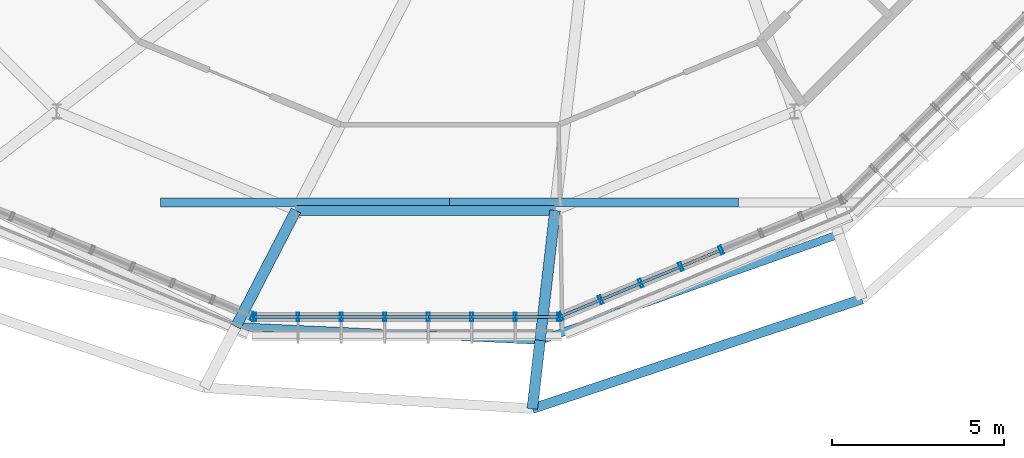
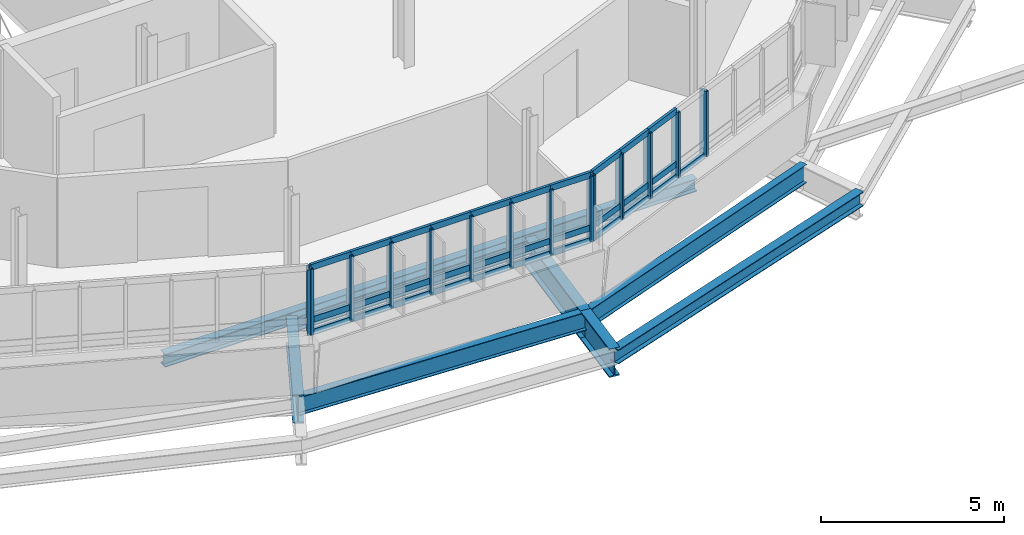
# One storey, part 16 of 61: 45 members, 9 beams, 3 elements without a shape of their own.
"""IFC4 building model written with IfcOpenShell, lengths in metres."""

from ifc_helpers import new_model, si_unit, derived_unit, direction, frame, origin, origin_2d, place, context, subcontext, project, spatial, hollow_rectangle, i_section, extrude, material, layer, layer_set, material_profile, profile_set, type_object, element, aggregate, save


model = new_model("IFC4")

# Units and contexts
model_context = context("Model", 3, precision=1e-05, world=origin(), true_north=direction((0.0, 1.0)))
body_context = subcontext(model_context, "Body", "Model", "MODEL_VIEW")
ifc_project = project(units=[si_unit("LENGTHUNIT", "METRE"), si_unit("AREAUNIT", "SQUARE_METRE"), si_unit("VOLUMEUNIT", "CUBIC_METRE"), si_unit("PLANEANGLEUNIT", "RADIAN"), si_unit("MASSUNIT", "GRAM", prefix="KILO"), derived_unit("THERMALTRANSMITTANCEUNIT", [(si_unit("MASSUNIT", "GRAM", prefix="KILO"), 1), (si_unit("TIMEUNIT", "SECOND"), -3), (si_unit("THERMODYNAMICTEMPERATUREUNIT", "KELVIN"), -1)])], contexts=[model_context])

# Site, building, storey
site_placement = place(None, origin())
site = spatial("IfcSite", under=ifc_project, at=site_placement, CompositionType="ELEMENT")
building_placement = place(site_placement, origin())
building = spatial("IfcBuilding", under=site, at=building_placement, Name="Makaiwela Harbour Ferry Terminal", CompositionType="ELEMENT")
storey_placement = place(building_placement, frame((0.0, 0.0, 13.800048828125)))
storey = spatial("IfcBuildingStorey", under=building, at=storey_placement, Name="L03", CompositionType="ELEMENT", Elevation=13.800048828125)

# Curtain wall, member
ifc_material_1 = material(Name="Marine anodised aluminium 6063-T6", Category="aluminium")
ifc_layer = layer(ifc_material_1, 0.199951171875)
ifc_layer_set = layer_set([ifc_layer], Name="Marine anodised aluminium 6063-T6")
curtain_wall_type = type_object("IfcCurtainWallType", Name="ENV-CW-05", PredefinedType="USERDEFINED", material=ifc_layer_set)
curtain_wall_1_placement = place(storey_placement, origin())
curtain_wall_1 = element("IfcCurtainWall", 1, at=curtain_wall_1_placement, inside=storey, type_object=curtain_wall_type, Name="Unitised Curtain Wall CWA-038", ObjectType="UNITIZED CURTAIN WALL", PredefinedType="USERDEFINED")
ifc_material_profile_1 = material_profile(ifc_material_1, hollow_rectangle(XDim=0.0849609375, YDim=0.25, WallThickness=0.0048828125, at=origin_2d()), Name="CWM-250X85")
ifc_profile_set_1 = profile_set([ifc_material_profile_1], Name="Marine anodised aluminium 6063-T6")
member_type_1 = type_object("IfcMemberType", Name="CW-MUL-250", PredefinedType="MULLION", material=ifc_profile_set_1)
member_1_placement = place(storey_placement, frame((32.07421875, 46.089599609375, 1.47998046875), z_axis=(0.0, 0.0, 1.0), x_axis=(-0.923879532511, 0.382683432365, 0.0)))
member_1 = element("IfcMember", 2, at=member_1_placement, type_object=member_type_1, Name="Curtain Wall Mullion CWA-038-8", PredefinedType="MULLION", context=body_context, shape_type="SweptSolid", body=[
    extrude(hollow_rectangle(XDim=0.0849609375, YDim=0.25, WallThickness=0.0048828125, at=origin_2d()), origin(), (0.0, 0.0, 1.0), 2.179931640625),
])
aggregate(curtain_wall_1, [member_1])

# Curtain wall, members
curtain_wall_2_placement = place(storey_placement, origin())
curtain_wall_2 = element("IfcCurtainWall", 3, at=curtain_wall_2_placement, inside=storey, type_object=curtain_wall_type, Name="Unitised Curtain Wall CWA-039", ObjectType="UNITIZED CURTAIN WALL", PredefinedType="USERDEFINED")
member_2_placement = place(storey_placement, frame((32.1318359375, 46.078125, 1.47998046875), z_axis=(0.0, 0.0, 1.0), x_axis=(1.0, 0.0, 0.0)))
member_2 = element("IfcMember", 4, at=member_2_placement, type_object=member_type_1, Name="Curtain Wall Mullion CWA-039-1", PredefinedType="MULLION", context=body_context, shape_type="SweptSolid", body=[
    extrude(hollow_rectangle(XDim=0.0849609375, YDim=0.25, WallThickness=0.0048828125, at=origin_2d()), origin(), (0.0, 0.0, 1.0), 2.179931640625),
])
member_3_placement = place(storey_placement, frame((33.394287109375, 46.078125, 1.47998046875), z_axis=(0.0, 0.0, 1.0), x_axis=(1.0, 0.0, 0.0)))
member_3 = element("IfcMember", 5, at=member_3_placement, type_object=member_type_1, Name="Curtain Wall Mullion CWA-039-2", PredefinedType="MULLION", context=body_context, shape_type="SweptSolid", body=[
    extrude(hollow_rectangle(XDim=0.0849609375, YDim=0.25, WallThickness=0.0048828125, at=origin_2d()), origin(), (0.0, 0.0, 1.0), 2.179931640625),
])
member_4_placement = place(storey_placement, frame((34.656494140625, 46.078125, 1.47998046875), z_axis=(0.0, 0.0, 1.0), x_axis=(1.0, 0.0, 0.0)))
member_4 = element("IfcMember", 6, at=member_4_placement, type_object=member_type_1, Name="Curtain Wall Mullion CWA-039-3", PredefinedType="MULLION", context=body_context, shape_type="SweptSolid", body=[
    extrude(hollow_rectangle(XDim=0.0849609375, YDim=0.25, WallThickness=0.0048828125, at=origin_2d()), origin(), (0.0, 0.0, 1.0), 2.179931640625),
])
member_5_placement = place(storey_placement, frame((35.918701171875, 46.078125, 1.47998046875), z_axis=(0.0, 0.0, 1.0), x_axis=(1.0, 0.0, 0.0)))
member_5 = element("IfcMember", 7, at=member_5_placement, type_object=member_type_1, Name="Curtain Wall Mullion CWA-039-4", PredefinedType="MULLION", context=body_context, shape_type="SweptSolid", body=[
    extrude(hollow_rectangle(XDim=0.0849609375, YDim=0.25, WallThickness=0.0048828125, at=origin_2d()), origin(), (0.0, 0.0, 1.0), 2.179931640625),
])
member_6_placement = place(storey_placement, frame((37.18115234375, 46.078125, 1.47998046875), z_axis=(0.0, 0.0, 1.0), x_axis=(1.0, 0.0, 0.0)))
member_6 = element("IfcMember", 8, at=member_6_placement, type_object=member_type_1, Name="Curtain Wall Mullion CWA-039-5", PredefinedType="MULLION", context=body_context, shape_type="SweptSolid", body=[
    extrude(hollow_rectangle(XDim=0.0849609375, YDim=0.25, WallThickness=0.0048828125, at=origin_2d()), origin(), (0.0, 0.0, 1.0), 2.179931640625),
])
member_7_placement = place(storey_placement, frame((38.443603515625, 46.078125, 1.47998046875), z_axis=(0.0, 0.0, 1.0), x_axis=(1.0, 0.0, 0.0)))
member_7 = element("IfcMember", 9, at=member_7_placement, type_object=member_type_1, Name="Curtain Wall Mullion CWA-039-6", PredefinedType="MULLION", context=body_context, shape_type="SweptSolid", body=[
    extrude(hollow_rectangle(XDim=0.0849609375, YDim=0.25, WallThickness=0.0048828125, at=origin_2d()), origin(), (0.0, 0.0, 1.0), 2.179931640625),
])
member_8_placement = place(storey_placement, frame((39.705810546875, 46.078125, 1.47998046875), z_axis=(0.0, 0.0, 1.0), x_axis=(1.0, 0.0, 0.0)))
member_8 = element("IfcMember", 10, at=member_8_placement, type_object=member_type_1, Name="Curtain Wall Mullion CWA-039-7", PredefinedType="MULLION", context=body_context, shape_type="SweptSolid", body=[
    extrude(hollow_rectangle(XDim=0.0849609375, YDim=0.25, WallThickness=0.0048828125, at=origin_2d()), origin(), (0.0, 0.0, 1.0), 2.179931640625),
])
member_9_placement = place(storey_placement, frame((40.968017578125, 46.078125, 1.47998046875), z_axis=(0.0, 0.0, 1.0), x_axis=(1.0, 0.0, 0.0)))
member_9 = element("IfcMember", 11, at=member_9_placement, type_object=member_type_1, Name="Curtain Wall Mullion CWA-039-8", PredefinedType="MULLION", context=body_context, shape_type="SweptSolid", body=[
    extrude(hollow_rectangle(XDim=0.0849609375, YDim=0.25, WallThickness=0.0048828125, at=origin_2d()), origin(), (0.0, 0.0, 1.0), 2.179931640625),
])

curtain_wall_3_placement = place(storey_placement, origin())
curtain_wall_3 = element("IfcCurtainWall", 12, at=curtain_wall_3_placement, inside=storey, type_object=curtain_wall_type, Name="Unitised Curtain Wall CWA-040", ObjectType="UNITIZED CURTAIN WALL", PredefinedType="USERDEFINED")
member_10_placement = place(storey_placement, frame((41.02587890625, 46.089599609375, 1.47998046875), z_axis=(0.0, 0.0, 1.0), x_axis=(0.923879532511, 0.382683432365, 0.0)))
member_10 = element("IfcMember", 13, at=member_10_placement, type_object=member_type_1, Name="Curtain Wall Mullion CWA-040-1", PredefinedType="MULLION", context=body_context, shape_type="SweptSolid", body=[
    extrude(hollow_rectangle(XDim=0.0849609375, YDim=0.25, WallThickness=0.0048828125, at=origin_2d()), origin(), (0.0, 0.0, 1.0), 2.179931640625),
])
member_11_placement = place(storey_placement, frame((42.19189453125, 46.57275390625, 1.47998046875), z_axis=(0.0, 0.0, 1.0), x_axis=(0.923879532511, 0.382683432365, 0.0)))
member_11 = element("IfcMember", 14, at=member_11_placement, type_object=member_type_1, Name="Curtain Wall Mullion CWA-040-2", PredefinedType="MULLION", context=body_context, shape_type="SweptSolid", body=[
    extrude(hollow_rectangle(XDim=0.0849609375, YDim=0.25, WallThickness=0.0048828125, at=origin_2d()), origin(), (0.0, 0.0, 1.0), 2.179931640625),
])
member_12_placement = place(storey_placement, frame((43.358154296875, 47.0556640625, 1.47998046875), z_axis=(0.0, 0.0, 1.0), x_axis=(0.923879532511, 0.382683432365, 0.0)))
member_12 = element("IfcMember", 15, at=member_12_placement, type_object=member_type_1, Name="Curtain Wall Mullion CWA-040-3", PredefinedType="MULLION", context=body_context, shape_type="SweptSolid", body=[
    extrude(hollow_rectangle(XDim=0.0849609375, YDim=0.25, WallThickness=0.0048828125, at=origin_2d()), origin(), (0.0, 0.0, 1.0), 2.179931640625),
])
member_13_placement = place(storey_placement, frame((44.5244140625, 47.538818359375, 1.47998046875), z_axis=(0.0, 0.0, 1.0), x_axis=(0.923879532511, 0.382683432365, 0.0)))
member_13 = element("IfcMember", 16, at=member_13_placement, type_object=member_type_1, Name="Curtain Wall Mullion CWA-040-4", PredefinedType="MULLION", context=body_context, shape_type="SweptSolid", body=[
    extrude(hollow_rectangle(XDim=0.0849609375, YDim=0.25, WallThickness=0.0048828125, at=origin_2d()), origin(), (0.0, 0.0, 1.0), 2.179931640625),
])
member_14_placement = place(storey_placement, frame((45.690673828125, 48.021728515625, 1.47998046875), z_axis=(0.0, 0.0, 1.0), x_axis=(0.923879532511, 0.382683432365, 0.0)))
member_14 = element("IfcMember", 17, at=member_14_placement, type_object=member_type_1, Name="Curtain Wall Mullion CWA-040-5", PredefinedType="MULLION", context=body_context, shape_type="SweptSolid", body=[
    extrude(hollow_rectangle(XDim=0.0849609375, YDim=0.25, WallThickness=0.0048828125, at=origin_2d()), origin(), (0.0, 0.0, 1.0), 2.179931640625),
])

# Member
ifc_material_profile_2 = material_profile(ifc_material_1, hollow_rectangle(XDim=0.0849609375, YDim=0.199951171875, WallThickness=0.0048828125, at=origin_2d()), Name="CWT-200X85")
ifc_profile_set_2 = profile_set([ifc_material_profile_2], Name="Marine anodised aluminium 6063-T6")
member_type_2 = type_object("IfcMemberType", Name="CW-TRN-200", PredefinedType="USERDEFINED", material=ifc_profile_set_2)
member_15_placement = place(storey_placement, frame((32.1318359375, 46.078125, 1.47998046875), z_axis=(1.0, 0.0, 0.0), x_axis=(0.0, 1.0, 0.0)))
member_15 = element("IfcMember", 18, at=member_15_placement, type_object=member_type_2, Name="Curtain Wall Transom CWA-039-1-1", ObjectType="TRANSOM", PredefinedType="USERDEFINED", context=body_context, shape_type="SweptSolid", body=[
    extrude(hollow_rectangle(XDim=0.0849609375, YDim=0.199951171875, WallThickness=0.0048828125, at=origin_2d()), origin(), (0.0, 0.0, 1.0), 1.262451171875),
])

member_16_placement = place(storey_placement, frame((32.1318359375, 46.078125, 1.89990234375), z_axis=(1.0, 0.0, 0.0), x_axis=(0.0, 1.0, 0.0)))
member_16 = element("IfcMember", 19, at=member_16_placement, type_object=member_type_2, Name="Curtain Wall Transom CWA-039-1-2", ObjectType="TRANSOM", PredefinedType="USERDEFINED", context=body_context, shape_type="SweptSolid", body=[
    extrude(hollow_rectangle(XDim=0.0849609375, YDim=0.199951171875, WallThickness=0.0048828125, at=origin_2d()), origin(), (0.0, 0.0, 1.0), 1.262451171875),
])

member_17_placement = place(storey_placement, frame((32.1318359375, 46.078125, 3.659912109375), z_axis=(1.0, 0.0, 0.0), x_axis=(0.0, 1.0, 0.0)))
member_17 = element("IfcMember", 20, at=member_17_placement, type_object=member_type_2, Name="Curtain Wall Transom CWA-039-1-3", ObjectType="TRANSOM", PredefinedType="USERDEFINED", context=body_context, shape_type="SweptSolid", body=[
    extrude(hollow_rectangle(XDim=0.0849609375, YDim=0.199951171875, WallThickness=0.0048828125, at=origin_2d()), origin(), (0.0, 0.0, 1.0), 1.262451171875),
])

member_18_placement = place(storey_placement, frame((33.394287109375, 46.078125, 1.47998046875), z_axis=(1.0, 0.0, 0.0), x_axis=(0.0, 1.0, 0.0)))
member_18 = element("IfcMember", 21, at=member_18_placement, type_object=member_type_2, Name="Curtain Wall Transom CWA-039-2-1", ObjectType="TRANSOM", PredefinedType="USERDEFINED", context=body_context, shape_type="SweptSolid", body=[
    extrude(hollow_rectangle(XDim=0.0849609375, YDim=0.199951171875, WallThickness=0.0048828125, at=origin_2d()), origin(), (0.0, 0.0, 1.0), 1.26220703125),
])

member_19_placement = place(storey_placement, frame((33.394287109375, 46.078125, 1.89990234375), z_axis=(1.0, 0.0, 0.0), x_axis=(0.0, 1.0, 0.0)))
member_19 = element("IfcMember", 22, at=member_19_placement, type_object=member_type_2, Name="Curtain Wall Transom CWA-039-2-2", ObjectType="TRANSOM", PredefinedType="USERDEFINED", context=body_context, shape_type="SweptSolid", body=[
    extrude(hollow_rectangle(XDim=0.0849609375, YDim=0.199951171875, WallThickness=0.0048828125, at=origin_2d()), origin(), (0.0, 0.0, 1.0), 1.26220703125),
])

member_20_placement = place(storey_placement, frame((33.394287109375, 46.078125, 3.659912109375), z_axis=(1.0, 0.0, 0.0), x_axis=(0.0, 1.0, 0.0)))
member_20 = element("IfcMember", 23, at=member_20_placement, type_object=member_type_2, Name="Curtain Wall Transom CWA-039-2-3", ObjectType="TRANSOM", PredefinedType="USERDEFINED", context=body_context, shape_type="SweptSolid", body=[
    extrude(hollow_rectangle(XDim=0.0849609375, YDim=0.199951171875, WallThickness=0.0048828125, at=origin_2d()), origin(), (0.0, 0.0, 1.0), 1.26220703125),
])

member_21_placement = place(storey_placement, frame((34.656494140625, 46.078125, 1.47998046875), z_axis=(1.0, 0.0, 0.0), x_axis=(0.0, 1.0, 0.0)))
member_21 = element("IfcMember", 24, at=member_21_placement, type_object=member_type_2, Name="Curtain Wall Transom CWA-039-3-1", ObjectType="TRANSOM", PredefinedType="USERDEFINED", context=body_context, shape_type="SweptSolid", body=[
    extrude(hollow_rectangle(XDim=0.0849609375, YDim=0.199951171875, WallThickness=0.0048828125, at=origin_2d()), origin(), (0.0, 0.0, 1.0), 1.26220703125),
])

member_22_placement = place(storey_placement, frame((34.656494140625, 46.078125, 1.89990234375), z_axis=(1.0, 0.0, 0.0), x_axis=(0.0, 1.0, 0.0)))
member_22 = element("IfcMember", 25, at=member_22_placement, type_object=member_type_2, Name="Curtain Wall Transom CWA-039-3-2", ObjectType="TRANSOM", PredefinedType="USERDEFINED", context=body_context, shape_type="SweptSolid", body=[
    extrude(hollow_rectangle(XDim=0.0849609375, YDim=0.199951171875, WallThickness=0.0048828125, at=origin_2d()), origin(), (0.0, 0.0, 1.0), 1.26220703125),
])

member_23_placement = place(storey_placement, frame((34.656494140625, 46.078125, 3.659912109375), z_axis=(1.0, 0.0, 0.0), x_axis=(0.0, 1.0, 0.0)))
member_23 = element("IfcMember", 26, at=member_23_placement, type_object=member_type_2, Name="Curtain Wall Transom CWA-039-3-3", ObjectType="TRANSOM", PredefinedType="USERDEFINED", context=body_context, shape_type="SweptSolid", body=[
    extrude(hollow_rectangle(XDim=0.0849609375, YDim=0.199951171875, WallThickness=0.0048828125, at=origin_2d()), origin(), (0.0, 0.0, 1.0), 1.26220703125),
])

member_24_placement = place(storey_placement, frame((35.918701171875, 46.078125, 1.47998046875), z_axis=(1.0, 0.0, 0.0), x_axis=(0.0, 1.0, 0.0)))
member_24 = element("IfcMember", 27, at=member_24_placement, type_object=member_type_2, Name="Curtain Wall Transom CWA-039-4-1", ObjectType="TRANSOM", PredefinedType="USERDEFINED", context=body_context, shape_type="SweptSolid", body=[
    extrude(hollow_rectangle(XDim=0.0849609375, YDim=0.199951171875, WallThickness=0.0048828125, at=origin_2d()), origin(), (0.0, 0.0, 1.0), 1.262451171875),
])

member_25_placement = place(storey_placement, frame((35.918701171875, 46.078125, 1.89990234375), z_axis=(1.0, 0.0, 0.0), x_axis=(0.0, 1.0, 0.0)))
member_25 = element("IfcMember", 28, at=member_25_placement, type_object=member_type_2, Name="Curtain Wall Transom CWA-039-4-2", ObjectType="TRANSOM", PredefinedType="USERDEFINED", context=body_context, shape_type="SweptSolid", body=[
    extrude(hollow_rectangle(XDim=0.0849609375, YDim=0.199951171875, WallThickness=0.0048828125, at=origin_2d()), origin(), (0.0, 0.0, 1.0), 1.262451171875),
])

member_26_placement = place(storey_placement, frame((35.918701171875, 46.078125, 3.659912109375), z_axis=(1.0, 0.0, 0.0), x_axis=(0.0, 1.0, 0.0)))
member_26 = element("IfcMember", 29, at=member_26_placement, type_object=member_type_2, Name="Curtain Wall Transom CWA-039-4-3", ObjectType="TRANSOM", PredefinedType="USERDEFINED", context=body_context, shape_type="SweptSolid", body=[
    extrude(hollow_rectangle(XDim=0.0849609375, YDim=0.199951171875, WallThickness=0.0048828125, at=origin_2d()), origin(), (0.0, 0.0, 1.0), 1.262451171875),
])

member_27_placement = place(storey_placement, frame((37.18115234375, 46.078125, 1.47998046875), z_axis=(1.0, 0.0, 0.0), x_axis=(0.0, 1.0, 0.0)))
member_27 = element("IfcMember", 30, at=member_27_placement, type_object=member_type_2, Name="Curtain Wall Transom CWA-039-5-1", ObjectType="TRANSOM", PredefinedType="USERDEFINED", context=body_context, shape_type="SweptSolid", body=[
    extrude(hollow_rectangle(XDim=0.0849609375, YDim=0.199951171875, WallThickness=0.0048828125, at=origin_2d()), origin(), (0.0, 0.0, 1.0), 1.262451171875),
])

member_28_placement = place(storey_placement, frame((37.18115234375, 46.078125, 1.89990234375), z_axis=(1.0, 0.0, 0.0), x_axis=(0.0, 1.0, 0.0)))
member_28 = element("IfcMember", 31, at=member_28_placement, type_object=member_type_2, Name="Curtain Wall Transom CWA-039-5-2", ObjectType="TRANSOM", PredefinedType="USERDEFINED", context=body_context, shape_type="SweptSolid", body=[
    extrude(hollow_rectangle(XDim=0.0849609375, YDim=0.199951171875, WallThickness=0.0048828125, at=origin_2d()), origin(), (0.0, 0.0, 1.0), 1.262451171875),
])

member_29_placement = place(storey_placement, frame((37.18115234375, 46.078125, 3.659912109375), z_axis=(1.0, 0.0, 0.0), x_axis=(0.0, 1.0, 0.0)))
member_29 = element("IfcMember", 32, at=member_29_placement, type_object=member_type_2, Name="Curtain Wall Transom CWA-039-5-3", ObjectType="TRANSOM", PredefinedType="USERDEFINED", context=body_context, shape_type="SweptSolid", body=[
    extrude(hollow_rectangle(XDim=0.0849609375, YDim=0.199951171875, WallThickness=0.0048828125, at=origin_2d()), origin(), (0.0, 0.0, 1.0), 1.262451171875),
])

member_30_placement = place(storey_placement, frame((38.443603515625, 46.078125, 1.47998046875), z_axis=(1.0, 0.0, 0.0), x_axis=(0.0, 1.0, 0.0)))
member_30 = element("IfcMember", 33, at=member_30_placement, type_object=member_type_2, Name="Curtain Wall Transom CWA-039-6-1", ObjectType="TRANSOM", PredefinedType="USERDEFINED", context=body_context, shape_type="SweptSolid", body=[
    extrude(hollow_rectangle(XDim=0.0849609375, YDim=0.199951171875, WallThickness=0.0048828125, at=origin_2d()), origin(), (0.0, 0.0, 1.0), 1.26220703125),
])

member_31_placement = place(storey_placement, frame((38.443603515625, 46.078125, 1.89990234375), z_axis=(1.0, 0.0, 0.0), x_axis=(0.0, 1.0, 0.0)))
member_31 = element("IfcMember", 34, at=member_31_placement, type_object=member_type_2, Name="Curtain Wall Transom CWA-039-6-2", ObjectType="TRANSOM", PredefinedType="USERDEFINED", context=body_context, shape_type="SweptSolid", body=[
    extrude(hollow_rectangle(XDim=0.0849609375, YDim=0.199951171875, WallThickness=0.0048828125, at=origin_2d()), origin(), (0.0, 0.0, 1.0), 1.26220703125),
])

member_32_placement = place(storey_placement, frame((38.443603515625, 46.078125, 3.659912109375), z_axis=(1.0, 0.0, 0.0), x_axis=(0.0, 1.0, 0.0)))
member_32 = element("IfcMember", 35, at=member_32_placement, type_object=member_type_2, Name="Curtain Wall Transom CWA-039-6-3", ObjectType="TRANSOM", PredefinedType="USERDEFINED", context=body_context, shape_type="SweptSolid", body=[
    extrude(hollow_rectangle(XDim=0.0849609375, YDim=0.199951171875, WallThickness=0.0048828125, at=origin_2d()), origin(), (0.0, 0.0, 1.0), 1.26220703125),
])

member_33_placement = place(storey_placement, frame((39.705810546875, 46.078125, 1.47998046875), z_axis=(1.0, 0.0, 0.0), x_axis=(0.0, 1.0, 0.0)))
member_33 = element("IfcMember", 36, at=member_33_placement, type_object=member_type_2, Name="Curtain Wall Transom CWA-039-7-1", ObjectType="TRANSOM", PredefinedType="USERDEFINED", context=body_context, shape_type="SweptSolid", body=[
    extrude(hollow_rectangle(XDim=0.0849609375, YDim=0.199951171875, WallThickness=0.0048828125, at=origin_2d()), origin(), (0.0, 0.0, 1.0), 1.26220703125),
])

member_34_placement = place(storey_placement, frame((39.705810546875, 46.078125, 1.89990234375), z_axis=(1.0, 0.0, 0.0), x_axis=(0.0, 1.0, 0.0)))
member_34 = element("IfcMember", 37, at=member_34_placement, type_object=member_type_2, Name="Curtain Wall Transom CWA-039-7-2", ObjectType="TRANSOM", PredefinedType="USERDEFINED", context=body_context, shape_type="SweptSolid", body=[
    extrude(hollow_rectangle(XDim=0.0849609375, YDim=0.199951171875, WallThickness=0.0048828125, at=origin_2d()), origin(), (0.0, 0.0, 1.0), 1.26220703125),
])

member_35_placement = place(storey_placement, frame((39.705810546875, 46.078125, 3.659912109375), z_axis=(1.0, 0.0, 0.0), x_axis=(0.0, 1.0, 0.0)))
member_35 = element("IfcMember", 38, at=member_35_placement, type_object=member_type_2, Name="Curtain Wall Transom CWA-039-7-3", ObjectType="TRANSOM", PredefinedType="USERDEFINED", context=body_context, shape_type="SweptSolid", body=[
    extrude(hollow_rectangle(XDim=0.0849609375, YDim=0.199951171875, WallThickness=0.0048828125, at=origin_2d()), origin(), (0.0, 0.0, 1.0), 1.26220703125),
])

aggregate(curtain_wall_2, [member_2, member_3, member_4, member_5, member_6, member_7, member_8, member_9, member_15, member_16, member_17, member_18, member_19, member_20, member_21, member_22, member_23, member_24, member_25, member_26, member_27, member_28, member_29, member_30, member_31, member_32, member_33, member_34, member_35])

member_36_placement = place(storey_placement, frame((41.02587890625, 46.089599609375, 1.47998046875), z_axis=(0.923830557004, 0.382801648306, 0.0), x_axis=(-0.382801648306, 0.923830557004, 0.0)))
member_36 = element("IfcMember", 39, at=member_36_placement, type_object=member_type_2, Name="Curtain Wall Transom CWA-040-1-1", ObjectType="TRANSOM", PredefinedType="USERDEFINED", context=body_context, shape_type="SweptSolid", body=[
    extrude(hollow_rectangle(XDim=0.0849609375, YDim=0.199951171875, WallThickness=0.0048828125, at=origin_2d()), origin(), (0.0, 0.0, 1.0), 1.26220703125),
])

member_37_placement = place(storey_placement, frame((41.02587890625, 46.089599609375, 1.89990234375), z_axis=(0.923830557004, 0.382801648306, 0.0), x_axis=(-0.382801648306, 0.923830557004, 0.0)))
member_37 = element("IfcMember", 40, at=member_37_placement, type_object=member_type_2, Name="Curtain Wall Transom CWA-040-1-2", ObjectType="TRANSOM", PredefinedType="USERDEFINED", context=body_context, shape_type="SweptSolid", body=[
    extrude(hollow_rectangle(XDim=0.0849609375, YDim=0.199951171875, WallThickness=0.0048828125, at=origin_2d()), origin(), (0.0, 0.0, 1.0), 1.26220703125),
])

member_38_placement = place(storey_placement, frame((41.02587890625, 46.089599609375, 3.659912109375), z_axis=(0.923830557004, 0.382801648306, 0.0), x_axis=(-0.382801648306, 0.923830557004, 0.0)))
member_38 = element("IfcMember", 41, at=member_38_placement, type_object=member_type_2, Name="Curtain Wall Transom CWA-040-1-3", ObjectType="TRANSOM", PredefinedType="USERDEFINED", context=body_context, shape_type="SweptSolid", body=[
    extrude(hollow_rectangle(XDim=0.0849609375, YDim=0.199951171875, WallThickness=0.0048828125, at=origin_2d()), origin(), (0.0, 0.0, 1.0), 1.26220703125),
])

member_39_placement = place(storey_placement, frame((42.19189453125, 46.57275390625, 1.47998046875), z_axis=(0.923927268309, 0.382568167619, 0.0), x_axis=(-0.382568167619, 0.923927268309, 0.0)))
member_39 = element("IfcMember", 42, at=member_39_placement, type_object=member_type_2, Name="Curtain Wall Transom CWA-040-2-1", ObjectType="TRANSOM", PredefinedType="USERDEFINED", context=body_context, shape_type="SweptSolid", body=[
    extrude(hollow_rectangle(XDim=0.0849609375, YDim=0.199951171875, WallThickness=0.0048828125, at=origin_2d()), origin(), (0.0, 0.0, 1.0), 1.26220703125),
])

member_40_placement = place(storey_placement, frame((42.19189453125, 46.57275390625, 1.89990234375), z_axis=(0.923927268309, 0.382568167619, 0.0), x_axis=(-0.382568167619, 0.923927268309, 0.0)))
member_40 = element("IfcMember", 43, at=member_40_placement, type_object=member_type_2, Name="Curtain Wall Transom CWA-040-2-2", ObjectType="TRANSOM", PredefinedType="USERDEFINED", context=body_context, shape_type="SweptSolid", body=[
    extrude(hollow_rectangle(XDim=0.0849609375, YDim=0.199951171875, WallThickness=0.0048828125, at=origin_2d()), origin(), (0.0, 0.0, 1.0), 1.26220703125),
])

member_41_placement = place(storey_placement, frame((42.19189453125, 46.57275390625, 3.659912109375), z_axis=(0.923927268309, 0.382568167619, 0.0), x_axis=(-0.382568167619, 0.923927268309, 0.0)))
member_41 = element("IfcMember", 44, at=member_41_placement, type_object=member_type_2, Name="Curtain Wall Transom CWA-040-2-3", ObjectType="TRANSOM", PredefinedType="USERDEFINED", context=body_context, shape_type="SweptSolid", body=[
    extrude(hollow_rectangle(XDim=0.0849609375, YDim=0.199951171875, WallThickness=0.0048828125, at=origin_2d()), origin(), (0.0, 0.0, 1.0), 1.26220703125),
])

member_42_placement = place(storey_placement, frame((43.358154296875, 47.0556640625, 1.47998046875), z_axis=(0.923858894352, 0.38273325349, 0.0), x_axis=(-0.38273325349, 0.923858894352, 0.0)))
member_42 = element("IfcMember", 45, at=member_42_placement, type_object=member_type_2, Name="Curtain Wall Transom CWA-040-3-1", ObjectType="TRANSOM", PredefinedType="USERDEFINED", context=body_context, shape_type="SweptSolid", body=[
    extrude(hollow_rectangle(XDim=0.0849609375, YDim=0.199951171875, WallThickness=0.0048828125, at=origin_2d()), origin(), (0.0, 0.0, 1.0), 1.262451171875),
])

member_43_placement = place(storey_placement, frame((43.358154296875, 47.0556640625, 1.89990234375), z_axis=(0.923858894352, 0.38273325349, 0.0), x_axis=(-0.38273325349, 0.923858894352, 0.0)))
member_43 = element("IfcMember", 46, at=member_43_placement, type_object=member_type_2, Name="Curtain Wall Transom CWA-040-3-2", ObjectType="TRANSOM", PredefinedType="USERDEFINED", context=body_context, shape_type="SweptSolid", body=[
    extrude(hollow_rectangle(XDim=0.0849609375, YDim=0.199951171875, WallThickness=0.0048828125, at=origin_2d()), origin(), (0.0, 0.0, 1.0), 1.262451171875),
])

member_44_placement = place(storey_placement, frame((43.358154296875, 47.0556640625, 3.659912109375), z_axis=(0.923858894352, 0.38273325349, 0.0), x_axis=(-0.38273325349, 0.923858894352, 0.0)))
member_44 = element("IfcMember", 47, at=member_44_placement, type_object=member_type_2, Name="Curtain Wall Transom CWA-040-3-3", ObjectType="TRANSOM", PredefinedType="USERDEFINED", context=body_context, shape_type="SweptSolid", body=[
    extrude(hollow_rectangle(XDim=0.0849609375, YDim=0.199951171875, WallThickness=0.0048828125, at=origin_2d()), origin(), (0.0, 0.0, 1.0), 1.262451171875),
])

member_45_placement = place(storey_placement, frame((44.5244140625, 47.538818359375, 1.47998046875), z_axis=(0.923927268309, 0.382568167619, 0.0), x_axis=(-0.382568167619, 0.923927268309, 0.0)))
member_45 = element("IfcMember", 48, at=member_45_placement, type_object=member_type_2, Name="Curtain Wall Transom CWA-040-4-1", ObjectType="TRANSOM", PredefinedType="USERDEFINED", context=body_context, shape_type="SweptSolid", body=[
    extrude(hollow_rectangle(XDim=0.0849609375, YDim=0.199951171875, WallThickness=0.0048828125, at=origin_2d()), origin(), (0.0, 0.0, 1.0), 1.26220703125),
])

aggregate(curtain_wall_3, [member_10, member_11, member_12, member_13, member_14, member_36, member_37, member_38, member_39, member_40, member_41, member_42, member_43, member_44, member_45])

# Beams
ifc_material_2 = material(Name="Steel ASTM A992 Grade 50", Category="steel")
ifc_material_profile_3 = material_profile(ifc_material_2, i_section(OverallWidth=0.22900390625, OverallDepth=0.612060546875, WebThickness=0.011962890625, FlangeThickness=0.01953125, at=origin_2d()), Name="W24X84")
ifc_profile_set_3 = profile_set([ifc_material_profile_3], Name="Steel ASTM A992 Grade 50")
beam_type_1 = type_object("IfcBeamType", Name="STR-GRD-W24X84", PredefinedType="USERDEFINED", material=ifc_profile_set_3)
beam_1_placement = place(storey_placement, frame((31.589599609375, 45.79541015625, -0.56103515625), z_axis=(0.998978864761, -0.045179948658, 0.0), x_axis=(0.045179948658, 0.998978864761, 0.0)))
element("IfcBeam", 49, at=beam_1_placement, inside=storey, type_object=beam_type_1, Name="Drum overhang tie girder 350", ObjectType="GIRDER", PredefinedType="USERDEFINED", context=body_context, shape_type="SweptSolid", body=[
    extrude(i_section(OverallWidth=0.22900390625, OverallDepth=0.612060546875, WebThickness=0.011962890625, FlangeThickness=0.01953125, at=origin_2d()), origin(), (0.0, 0.0, 1.0), 8.851318359375),
])
beam_2_placement = place(storey_placement, frame((40.431884765625, 45.3955078125, -0.56103515625), z_axis=(0.942345758872, 0.334640808533, 0.0), x_axis=(-0.334640808533, 0.942345758872, 0.0)))
element("IfcBeam", 50, at=beam_2_placement, inside=storey, type_object=beam_type_1, Name="Drum overhang tie girder 351", ObjectType="GIRDER", PredefinedType="USERDEFINED", context=body_context, shape_type="SweptSolid", body=[
    extrude(i_section(OverallWidth=0.22900390625, OverallDepth=0.612060546875, WebThickness=0.011962890625, FlangeThickness=0.01953125, at=origin_2d()), origin(), (0.0, 0.0, 1.0), 9.206298828125),
])
ifc_material_profile_4 = material_profile(ifc_material_2, i_section(OverallWidth=0.31005859375, OverallDepth=0.949951171875, WebThickness=0.0244140625, FlangeThickness=0.0439453125, at=origin_2d()), Name="W36X256")
ifc_profile_set_4 = profile_set([ifc_material_profile_4], Name="Steel ASTM A992 Grade 50")
beam_type_2 = type_object("IfcBeamType", Name="STR-GRD-W36X256", PredefinedType="USERDEFINED", material=ifc_profile_set_4)
beam_3_placement = place(storey_placement, frame((33.334716796875, 49.1708984375, -0.72998046875), z_axis=(-0.459251619931, -0.888306225122, 0.0), x_axis=(0.888306225122, -0.459251619931, 0.0)))
element("IfcBeam", 51, at=beam_3_placement, inside=storey, type_object=beam_type_2, Name="Drum radial overhang 314", ObjectType="GIRDER", PredefinedType="USERDEFINED", context=body_context, shape_type="SweptSolid", body=[
    extrude(i_section(OverallWidth=0.31005859375, OverallDepth=0.949951171875, WebThickness=0.0244140625, FlangeThickness=0.0439453125, at=origin_2d()), origin(), (0.0, 0.0, 1.0), 3.7998046875),
])
beam_4_placement = place(storey_placement, frame((40.865234375, 49.1708984375, -0.72998046875), z_axis=(-0.114033976295, -0.993476850385, 0.0), x_axis=(0.993476850385, -0.114033976295, 0.0)))
element("IfcBeam", 52, at=beam_4_placement, inside=storey, type_object=beam_type_2, Name="Drum radial overhang 317", ObjectType="GIRDER", PredefinedType="USERDEFINED", context=body_context, shape_type="SweptSolid", body=[
    extrude(i_section(OverallWidth=0.31005859375, OverallDepth=0.949951171875, WebThickness=0.0244140625, FlangeThickness=0.0439453125, at=origin_2d()), origin(), (0.0, 0.0, 1.0), 3.80029296875),
])
beam_5_placement = place(storey_placement, frame((40.431884765625, 45.3955078125, -0.72998046875), z_axis=(-0.114021712091, -0.993478258027, 0.0), x_axis=(0.993478258027, -0.114021712091, 0.0)))
element("IfcBeam", 53, at=beam_5_placement, inside=storey, type_object=beam_type_2, Name="Drum overhang radial girder 318", ObjectType="GIRDER", PredefinedType="USERDEFINED", context=body_context, shape_type="SweptSolid", body=[
    extrude(i_section(OverallWidth=0.31005859375, OverallDepth=0.949951171875, WebThickness=0.0244140625, FlangeThickness=0.0439453125, at=origin_2d()), origin(), (0.0, 0.0, 1.0), 1.999755859375),
])
ifc_material_profile_5 = material_profile(ifc_material_2, i_section(OverallWidth=0.264892578125, OverallDepth=0.430908203125, WebThickness=0.014892578125, FlangeThickness=0.02490234375, at=origin_2d()), Name="W16X100")
ifc_profile_set_5 = profile_set([ifc_material_profile_5], Name="Steel ASTM A992 Grade 50")
beam_type_3 = type_object("IfcBeamType", Name="STR-SPN-W16X100", PredefinedType="SPANDREL", material=ifc_profile_set_5)
beam_6_placement = place(storey_placement, frame((29.39990234375, 49.39990234375, -0.45556640625), z_axis=(1.0, 0.0, 0.0), x_axis=(0.0, 1.0, 0.0)))
element("IfcBeam", 54, at=beam_6_placement, inside=storey, type_object=beam_type_3, Name="Primary X girder 1549", PredefinedType="SPANDREL", context=body_context, shape_type="SweptSolid", body=[
    extrude(i_section(OverallWidth=0.264892578125, OverallDepth=0.430908203125, WebThickness=0.014892578125, FlangeThickness=0.02490234375, at=origin_2d()), origin(), (0.0, 0.0, 1.0), 8.400146484375),
])
beam_7_placement = place(storey_placement, frame((37.800048828125, 49.39990234375, -0.45556640625), z_axis=(1.0, 0.0, 0.0), x_axis=(0.0, 1.0, 0.0)))
element("IfcBeam", 55, at=beam_7_placement, inside=storey, type_object=beam_type_3, Name="Primary X girder 1550", PredefinedType="SPANDREL", context=body_context, shape_type="SweptSolid", body=[
    extrude(i_section(OverallWidth=0.264892578125, OverallDepth=0.430908203125, WebThickness=0.014892578125, FlangeThickness=0.02490234375, at=origin_2d()), origin(), (0.0, 0.0, 1.0), 8.39990234375),
])
ifc_material_profile_6 = material_profile(ifc_material_2, i_section(OverallWidth=0.283935546875, OverallDepth=0.47607421875, WebThickness=0.014892578125, FlangeThickness=0.02392578125, at=origin_2d()), Name="W18X106")
ifc_profile_set_6 = profile_set([ifc_material_profile_6], Name="Steel ASTM A992 Grade 50")
beam_type_4 = type_object("IfcBeamType", Name="STR-SPN-W18X106", PredefinedType="SPANDREL", material=ifc_profile_set_6)
beam_8_placement = place(storey_placement, frame((33.334716796875, 49.1708984375, -0.4931640625), z_axis=(1.0, 0.0, 0.0), x_axis=(0.0, 1.0, 0.0)))
element("IfcBeam", 56, at=beam_8_placement, inside=storey, type_object=beam_type_4, Name="Drum column ring girder 266", PredefinedType="SPANDREL", context=body_context, shape_type="SweptSolid", body=[
    extrude(i_section(OverallWidth=0.283935546875, OverallDepth=0.47607421875, WebThickness=0.014892578125, FlangeThickness=0.02392578125, at=origin_2d()), origin(), (0.0, 0.0, 1.0), 7.530517578125),
])
beam_9_placement = place(storey_placement, frame((40.203857421875, 43.40869140625, -0.4931640625), z_axis=(0.948910377398, 0.3155457109, 0.0), x_axis=(-0.3155457109, 0.948910377398, 0.0)))
element("IfcBeam", 57, at=beam_9_placement, inside=storey, type_object=beam_type_4, Name="Drum perimeter spandrel 364", PredefinedType="SPANDREL", context=body_context, shape_type="SweptSolid", body=[
    extrude(i_section(OverallWidth=0.283935546875, OverallDepth=0.47607421875, WebThickness=0.014892578125, FlangeThickness=0.02392578125, at=origin_2d()), origin(), (0.0, 0.0, 1.0), 10.095458984375),
])

save(model, "model.ifc")
